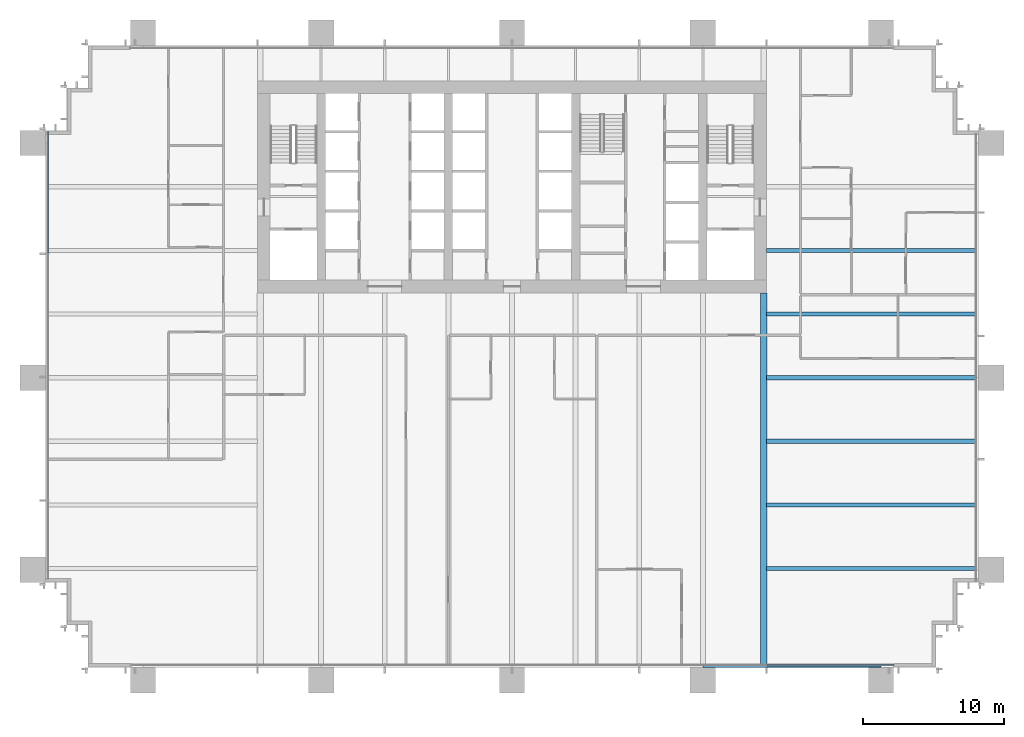
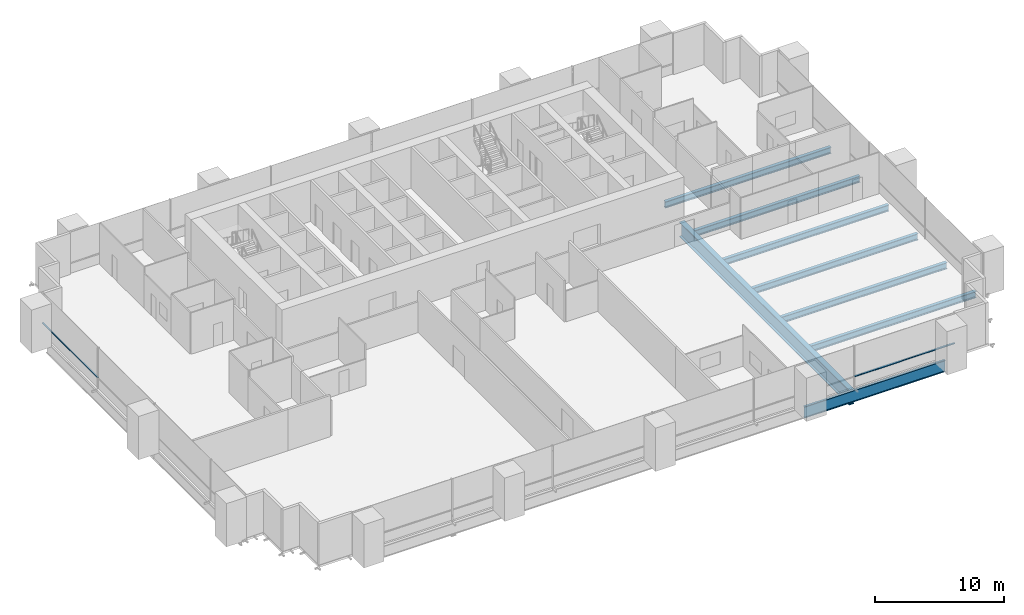
# One storey, part 6 of 17: 8 beams, 2 members, 2 elements without a shape of their own.
"""IFC4 building model written with IfcOpenShell, lengths in metres."""

from ifc_helpers import new_model, si_unit, direction, frame, origin, origin_2d, place, context, subcontext, project, spatial, rectangle, i_section, extrude, material, material_profile, profile_set, type_object, element, aggregate, save


model = new_model("IFC4")

# Units and contexts
model_context = context("Model", 3, precision=1e-05, world=origin(), true_north=direction((0.0, 1.0)))
body_context = subcontext(model_context, "Body", "Model", "MODEL_VIEW")
ifc_project = project(units=[si_unit("LENGTHUNIT", "METRE"), si_unit("AREAUNIT", "SQUARE_METRE"), si_unit("VOLUMEUNIT", "CUBIC_METRE"), si_unit("PLANEANGLEUNIT", "RADIAN"), si_unit("MASSUNIT", "GRAM", prefix="KILO")], contexts=[model_context])

# Site, building, storey
site_placement = place(None, origin())
site = spatial("IfcSite", under=ifc_project, at=site_placement, CompositionType="ELEMENT")
building_placement = place(site_placement, origin())
building = spatial("IfcBuilding", under=site, at=building_placement, Name="Rattan Terrace Tower", CompositionType="ELEMENT")
storey_placement = place(building_placement, frame((0.0, 0.0, 48.800048828125)))
storey = spatial("IfcBuildingStorey", under=building, at=storey_placement, Name="L10", CompositionType="ELEMENT", Elevation=48.800048828125)

# Curtain wall, member
ifc_material_1 = material(Name="Aluminium and glass", Category="aluminium")
curtain_wall_type = type_object("IfcCurtainWallType", Name="Facade Unitised Curtain Wall", PredefinedType="NOTDEFINED", material=ifc_material_1)
curtain_wall_1_placement = place(storey_placement, origin())
curtain_wall_1 = element("IfcCurtainWall", 1, at=curtain_wall_1_placement, inside=storey, type_object=curtain_wall_type, Name="Curtain wall L10-3", PredefinedType="NOTDEFINED")
ifc_material_2 = material(Name="Aluminium", Category="aluminium")
ifc_material_profile_1 = material_profile(ifc_material_2, rectangle(XDim=0.1201171875, YDim=0.06005859375, at=origin_2d()), Name="Aluminium 120x60")
ifc_profile_set_1 = profile_set([ifc_material_profile_1], Name="Aluminium")
member_type = type_object("IfcMemberType", Name="Facade CW Transom 120x60", PredefinedType="USERDEFINED", material=ifc_profile_set_1)
member_1_placement = place(storey_placement, frame((-32.830078125, 3.89501953125, 1.0), z_axis=(0.0, -1.0, 0.0), x_axis=(1.0, 0.0, 0.0)))
member_1 = element("IfcMember", 2, at=member_1_placement, type_object=member_type, Name="Transom cwl-L10-003.1", ObjectType="TRANSOM", PredefinedType="USERDEFINED", context=body_context, shape_type="SweptSolid", body=[
    extrude(rectangle(XDim=0.1201171875, YDim=0.06005859375, at=origin_2d()), origin(), (0.0, 0.0, 1.0), 8.592041015625),
])
aggregate(curtain_wall_1, [member_1])

curtain_wall_2_placement = place(storey_placement, origin())
curtain_wall_2 = element("IfcCurtainWall", 3, at=curtain_wall_2_placement, inside=storey, type_object=curtain_wall_type, Name="Curtain wall L10-4", PredefinedType="NOTDEFINED")
member_2_placement = place(storey_placement, frame((18.030029296875, -33.830078125, 1.0), z_axis=(1.0, 0.0, 0.0), x_axis=(0.0, 1.0, 0.0)))
member_2 = element("IfcMember", 4, at=member_2_placement, type_object=member_type, Name="Transom cwl-L10-004.6", ObjectType="TRANSOM", PredefinedType="USERDEFINED", context=body_context, shape_type="SweptSolid", body=[
    extrude(rectangle(XDim=0.1201171875, YDim=0.06005859375, at=origin_2d()), origin(), (0.0, 0.0, 1.0), 8.969970703125),
])
aggregate(curtain_wall_2, [member_2])

# Beams
ifc_material_3 = material(Name="Steel S460", Category="steel")
ifc_material_profile_2 = material_profile(ifc_material_3, i_section(OverallWidth=0.449951171875, OverallDepth=1.39990234375, WebThickness=0.02197265625, FlangeThickness=0.054931640625, at=origin_2d()), Name="PG 1400x450-22-55")
ifc_profile_set_2 = profile_set([ifc_material_profile_2], Name="Steel S460")
beam_type_1 = type_object("IfcBeamType", Name="Frame core girder PG 1400x450-22-55", PredefinedType="BEAM", material=ifc_profile_set_2)
beam_1_placement = place(storey_placement, frame((17.800048828125, -33.820068359375, -0.900146484375), z_axis=(0.0, 1.0, 0.0), x_axis=(-1.0, 0.0, 0.0)))
element("IfcBeam", 5, at=beam_1_placement, inside=storey, type_object=beam_type_1, Name="gdr-L10-014", PredefinedType="BEAM", context=body_context, shape_type="SweptSolid", body=[
    extrude(i_section(OverallWidth=0.449951171875, OverallDepth=1.39990234375, WebThickness=0.02197265625, FlangeThickness=0.054931640625, at=origin_2d()), origin(), (0.0, 0.0, 1.0), 26.320068359375),
])
ifc_material_4 = material(Name="Steel S460", Category="steel")
ifc_material_profile_3 = material_profile(ifc_material_4, i_section(OverallWidth=0.179931640625, OverallDepth=1.10009765625, WebThickness=0.01611328125, FlangeThickness=0.050048828125, at=origin_2d()), Name="PG 1100x180-16-50")
ifc_profile_set_3 = profile_set([ifc_material_profile_3], Name="Steel S460")
beam_type_2 = type_object("IfcBeamType", Name="Frame edge girder PG 1100x180-16-50", PredefinedType="SPANDREL", material=ifc_profile_set_3)
beam_2_placement = place(storey_placement, frame((13.5, -33.909912109375, -0.75), z_axis=(1.0, 0.0, 0.0), x_axis=(0.0, 1.0, 0.0)))
element("IfcBeam", 6, at=beam_2_placement, inside=storey, type_object=beam_type_2, Name="gdr-L10-004", PredefinedType="SPANDREL", context=body_context, shape_type="SweptSolid", body=[
    extrude(i_section(OverallWidth=0.179931640625, OverallDepth=1.10009765625, WebThickness=0.01611328125, FlangeThickness=0.050048828125, at=origin_2d()), origin(), (0.0, 0.0, 1.0), 12.60009765625),
])
ifc_material_5 = material(Name="Steel S355", Category="steel")
ifc_material_profile_4 = material_profile(ifc_material_5, i_section(OverallWidth=0.300048828125, OverallDepth=0.60009765625, WebThickness=0.015380859375, FlangeThickness=0.030029296875, FilletRadius=0.027099609375, at=origin_2d()), Name="HE 600 B")
ifc_profile_set_4 = profile_set([ifc_material_profile_4], Name="Steel S355")
beam_type_3 = type_object("IfcBeamType", Name="Frame floor beam HE 600 B", PredefinedType="JOIST", material=ifc_profile_set_4)
for number, where, z_axis, x_axis, name in (
    (7, (18.0, -27.0, -0.5), (1.0, 0.0, 0.0), (0.0, 1.0, 0.0), "bm-L10-011"),
    (8, (18.0, -22.5, -0.5), (1.0, 0.0, 0.0), (0.0, 1.0, 0.0), "bm-L10-013"),
    (9, (18.0, -18.0, -0.5), (1.0, 0.0, 0.0), (0.0, 1.0, 0.0), "bm-L10-015"),
    (10, (18.0, -13.5, -0.5), (1.0, 0.0, 0.0), (0.0, 1.0, 0.0), "bm-L10-017"),
    (11, (18.0, -9.0, -0.5), (1.0, 0.0, 0.0), (0.0, 1.0, 0.0), "bm-L10-019"),
    (12, (18.0, -4.5, -0.5), (1.0, 0.0, 0.0), (0.0, 1.0, 0.0), "bm-L10-021"),
):
    element("IfcBeam", number, at=place(storey_placement, frame(where, z_axis=z_axis, x_axis=x_axis)), inside=storey, type_object=beam_type_3, Name=name, PredefinedType="JOIST", context=body_context, shape_type="SweptSolid", body=[
        extrude(i_section(OverallWidth=0.300048828125, OverallDepth=0.60009765625, WebThickness=0.015380859375, FlangeThickness=0.030029296875, FilletRadius=0.027099609375, at=origin_2d()), origin(), (0.0, 0.0, 1.0), 14.820068359375),
    ])

save(model, "model.ifc")
